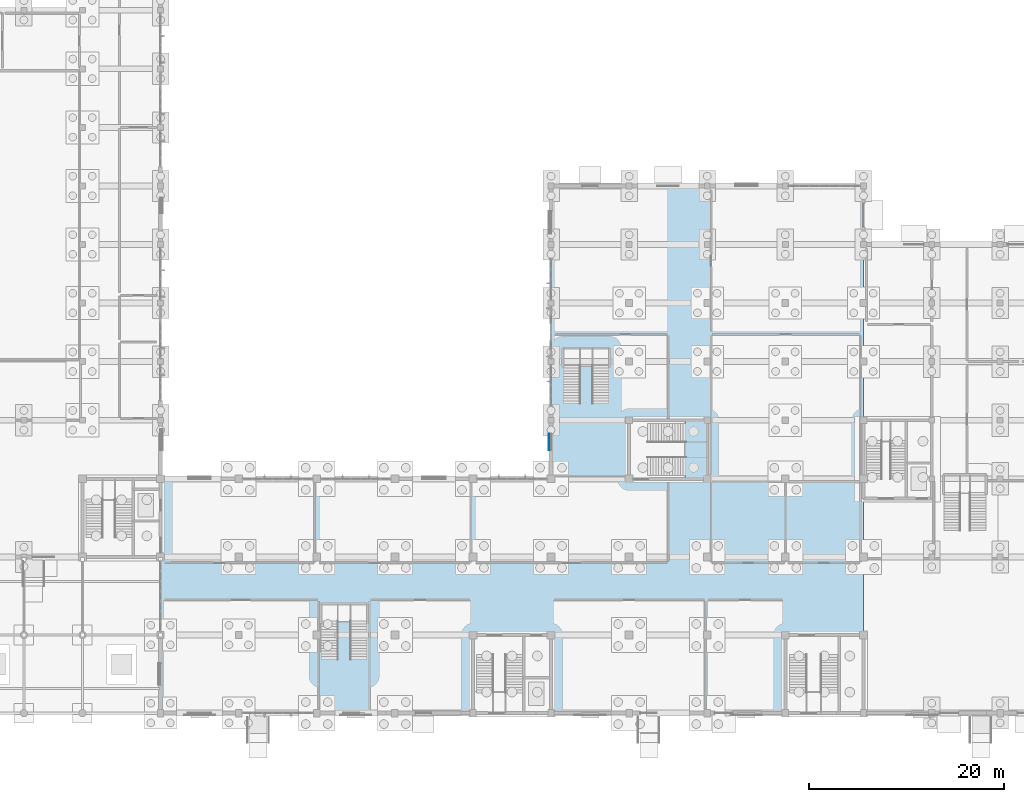
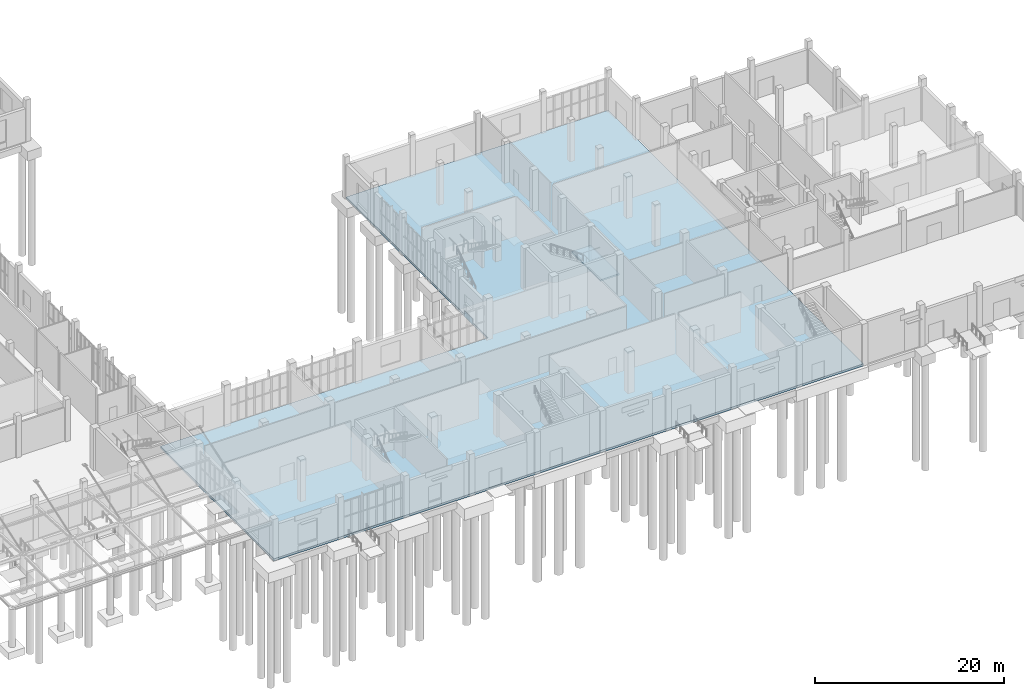
# One storey, part 33 of 69: 2 slabs, 1 plate, 1 element without a shape of its own.
"""IFC4 building model written with IfcOpenShell, lengths in metres."""

from ifc_helpers import new_model, si_unit, direction, frame, origin, origin_2d, place, context, subcontext, project, spatial, polyline, rectangle, outline, extrude, material, layer, layer_set, type_object, element, aggregate, save


model = new_model("IFC4")

# Units and contexts
model_context = context("Model", 3, precision=1e-05, world=origin(), true_north=direction((0.0, 1.0)))
body_context = subcontext(model_context, "Body", "Model", "MODEL_VIEW")
ifc_project = project(units=[si_unit("LENGTHUNIT", "METRE"), si_unit("AREAUNIT", "SQUARE_METRE"), si_unit("VOLUMEUNIT", "CUBIC_METRE"), si_unit("PLANEANGLEUNIT", "RADIAN"), si_unit("MASSUNIT", "GRAM", prefix="KILO")], contexts=[model_context])

# Site, building, storey
site_placement = place(None, origin())
site = spatial("IfcSite", under=ifc_project, at=site_placement, CompositionType="ELEMENT")
building_placement = place(site_placement, origin())
building = spatial("IfcBuilding", under=site, at=building_placement, Name="Solvane Community Centre", CompositionType="ELEMENT")
storey_placement = place(building_placement, origin())
storey = spatial("IfcBuildingStorey", under=building, at=storey_placement, Name="L00", CompositionType="ELEMENT", Elevation=0.0)

# Plate
ifc_material_1 = material(Name="Anodised bronze aluminium AW-6063 T6", Category="aluminium")
ifc_layer_1 = layer(ifc_material_1, 0.02392578125)
ifc_layer_set_1 = layer_set([ifc_layer_1], Name="Anodised bronze aluminium AW-6063 T6")
plate_type = type_object("IfcPlateType", Name="Bronze Spandrel Cassette 24mm", PredefinedType="SHEET", material=ifc_layer_set_1)
plate_placement = place(storey_placement, frame((107.798095703125, 33.75, 0.06005859375), z_axis=(0.0, 0.0, 1.0), x_axis=(0.0, 1.0, 0.0)))
element("IfcPlate", 1, at=plate_placement, inside=storey, type_object=plate_type, Name="Art Deco Spandrel SPC-L00-018", PredefinedType="SHEET", context=body_context, shape_type="SweptSolid", body=[
    extrude(rectangle(XDim=1.699951171875, YDim=0.02392578125, at=origin_2d()), origin(), (0.0, 0.0, 1.0), 0.719970703125),
])

# Slab
ifc_material_2 = material(Name="Concrete C35/45", Category="concrete")
ifc_layer_2 = layer(ifc_material_2, 0.280029296875)
ifc_layer_set_2 = layer_set([ifc_layer_2], Name="Concrete C35/45")
slab_type_1 = type_object("IfcSlabType", Name="RC Ground Base Slab 280mm [FP-L00-V4]", PredefinedType="BASESLAB", material=ifc_layer_set_2)
slab_1_placement = place(storey_placement, frame((0.0, 0.0, -0.280029296875)))
element("IfcSlab", 2, at=slab_1_placement, inside=storey, type_object=slab_type_1, Name="Floor Slab FP-L00-V4", PredefinedType="BASESLAB", context=body_context, shape_type="SweptSolid", body=[
    extrude(outline(polyline([(68.0, 6.0), (140.0, 6.0), (140.0, 60.0), (108.0, 60.0), (108.0, 30.0), (68.0, 30.0), (68.0, 6.0)])), origin(), (0.0, 0.0, 1.0), 0.280029296875),
])

# Stair, slab
stair_type = type_object("IfcStairType", Name="RC Two-Flight Escape Stair 1880mm", PredefinedType="TWO_STRAIGHT_RUN_STAIR", material=ifc_material_2)
stair_placement = place(storey_placement, origin())
stair = element("IfcStair", 3, at=stair_placement, inside=storey, type_object=stair_type, Name="Stair STR-C4-L00", PredefinedType="TWO_STRAIGHT_RUN_STAIR")
ifc_layer_3 = layer(ifc_material_2, 0.199951171875)
ifc_layer_set_3 = layer_set([ifc_layer_3], Name="Concrete C35/45")
slab_type_2 = type_object("IfcSlabType", Name="RC Stair Half-Landing Slab 200mm", PredefinedType="LANDING", material=ifc_layer_set_3)
slab_2_placement = place(storey_placement, frame((0.0, 0.0, 2.5)))
slab_2 = element("IfcSlab", 4, at=slab_2_placement, type_object=slab_type_2, Name="ST-06 landing 1", PredefinedType="LANDING", context=body_context, shape_type="SweptSolid", body=[
    extrude(outline(polyline([(121.699951171875, 29.9599609375), (124.0400390625, 29.9599609375), (124.0400390625, 36.0400390625), (121.699951171875, 36.0400390625), (121.699951171875, 29.9599609375)])), origin(), (0.0, 0.0, 1.0), 0.199951171875),
])
aggregate(stair, [slab_2])

save(model, "model.ifc")
